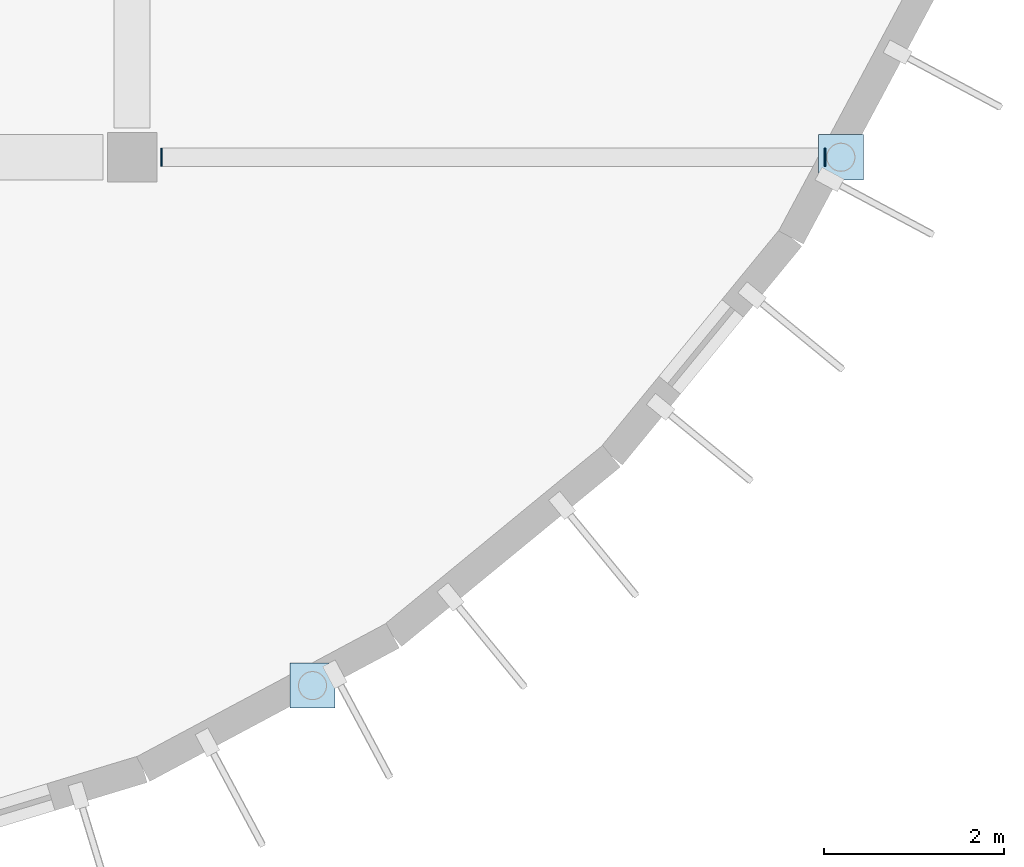
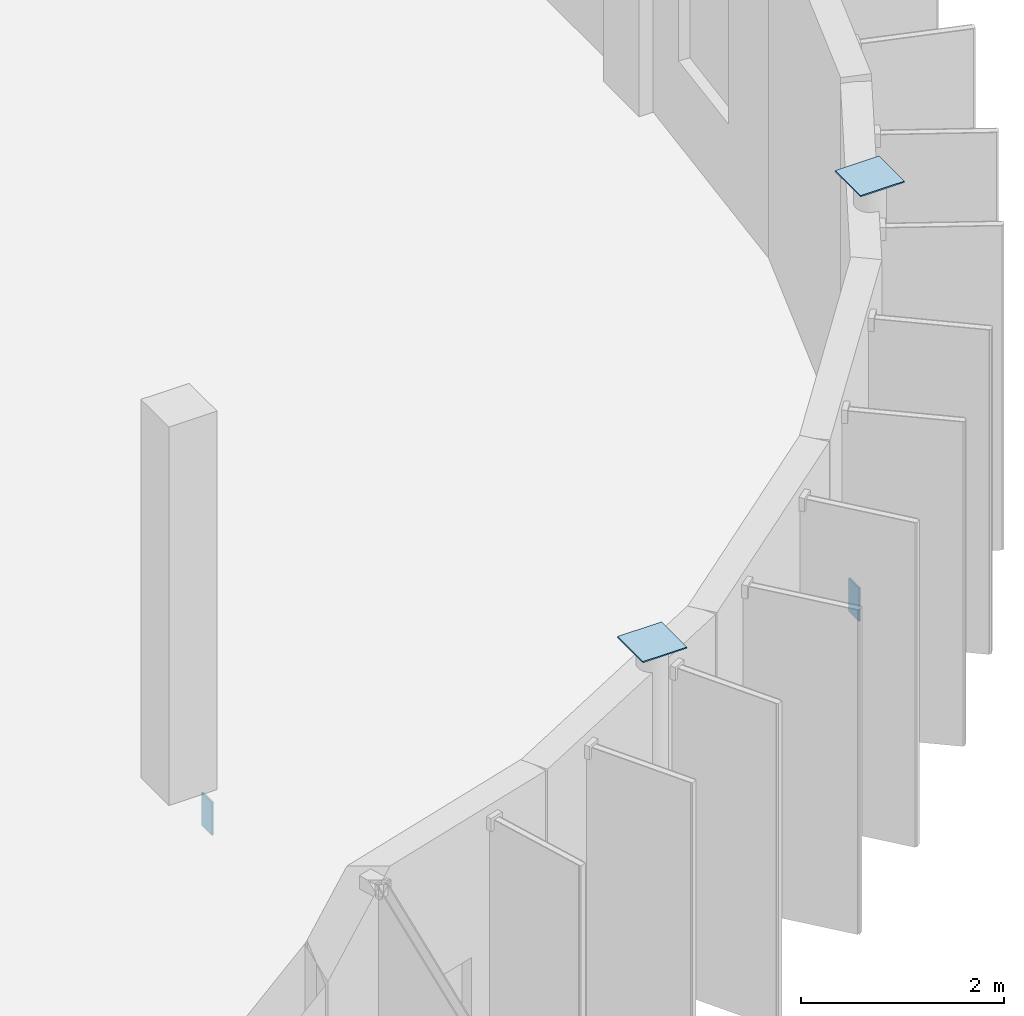
# One storey, part 66 of 93: 4 plates.
"""IFC4 building model written with IfcOpenShell, lengths in metres."""

from ifc_helpers import new_model, si_unit, direction, frame, origin, origin_2d, place, context, subcontext, project, spatial, rectangle, extrude, material, layer, layer_set, type_object, element, save


model = new_model("IFC4")

# Units and contexts
model_context = context("Model", 3, precision=1e-05, world=origin(), true_north=direction((0.0, 1.0)))
body_context = subcontext(model_context, "Body", "Model", "MODEL_VIEW")
ifc_project = project(units=[si_unit("LENGTHUNIT", "METRE"), si_unit("AREAUNIT", "SQUARE_METRE"), si_unit("VOLUMEUNIT", "CUBIC_METRE"), si_unit("PLANEANGLEUNIT", "RADIAN"), si_unit("MASSUNIT", "GRAM", prefix="KILO")], contexts=[model_context])

# Site, building, storey
site_placement = place(None, origin())
site = spatial("IfcSite", under=ifc_project, at=site_placement, CompositionType="ELEMENT")
building_placement = place(site_placement, origin())
building = spatial("IfcBuilding", under=site, at=building_placement, Name="Drelvana Railside Aquatics Centre", CompositionType="ELEMENT")
storey_placement = place(building_placement, frame((0.0, 0.0, 5.39990234375)))
storey = spatial("IfcBuildingStorey", under=building, at=storey_placement, Name="L01", CompositionType="ELEMENT", Elevation=5.39990234375)

# Plates
ifc_material = material(Name="Structural steel S355", Category="steel")
ifc_layer_1 = layer(ifc_material, 0.014892578125, Name="Structural steel S355")
ifc_layer_set_1 = layer_set([ifc_layer_1], Name="Structural steel S355")
plate_type_1 = type_object("IfcPlateType", Name="STR-PLT-PL-01", PredefinedType="SHEET", material=ifc_layer_set_1)
for number, where, z_axis, x_axis, name in (
    (1, (176.0, 10.1435546875, 4.54248046875), (0.0, 0.0, 1.0), (1.0, 0.0, 0.0), "Steel bearing cap plate PL-01 #3"),
    (2, (181.8564453125, 16.0, 4.54248046875), (0.0, 0.0, 1.0), (1.0, 0.0, 0.0), "Steel bearing cap plate PL-01 #7"),
):
    element("IfcPlate", number, at=place(storey_placement, frame(where, z_axis=z_axis, x_axis=x_axis)), inside=storey, type_object=plate_type_1, Name=name, PredefinedType="SHEET", context=body_context, shape_type="SweptSolid", body=[
        extrude(rectangle(XDim=0.5, YDim=0.5, at=origin_2d()), origin(), (0.0, 0.0, 1.0), 0.014892578125),
    ])
ifc_layer_2 = layer(ifc_material, 0.01806640625, Name="Structural steel S355")
ifc_layer_set_2 = layer_set([ifc_layer_2], Name="Structural steel S355")
plate_type_2 = type_object("IfcPlateType", Name="STR-PLT-PL-06", PredefinedType="SHEET", material=ifc_layer_set_2)
for number, where, z_axis, x_axis, name in (
    (3, (174.324951171875, 16.0, -0.6748046875), (0.0, 0.0, 1.0), (1.0, 0.0, 0.0), "Beam end cap plate PL-06 (L01)"),
    (4, (181.68212890625, 16.0, -0.6748046875), (0.0, 0.0, 1.0), (1.0, 0.0, 0.0), "Beam end cap plate PL-06 (L01)"),
):
    element("IfcPlate", number, at=place(storey_placement, frame(where, z_axis=z_axis, x_axis=x_axis)), inside=storey, type_object=plate_type_2, Name=name, PredefinedType="SHEET", context=body_context, shape_type="SweptSolid", body=[
        extrude(rectangle(XDim=0.01806640625, YDim=0.199951171875, at=origin_2d()), origin(), (0.0, 0.0, 1.0), 0.39990234375),
    ])

save(model, "model.ifc")
